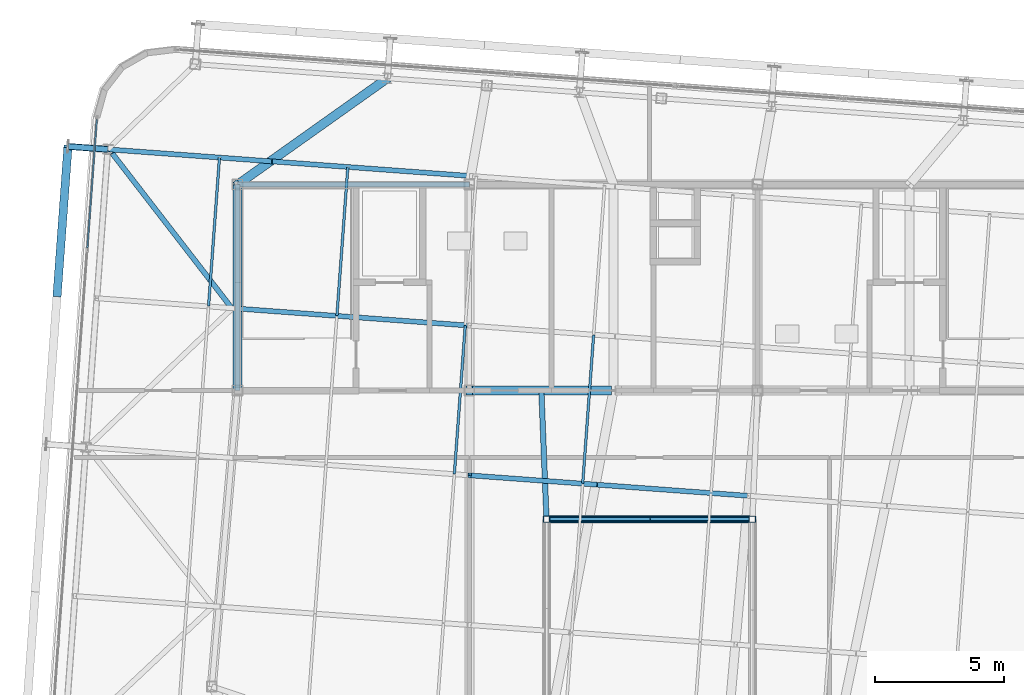
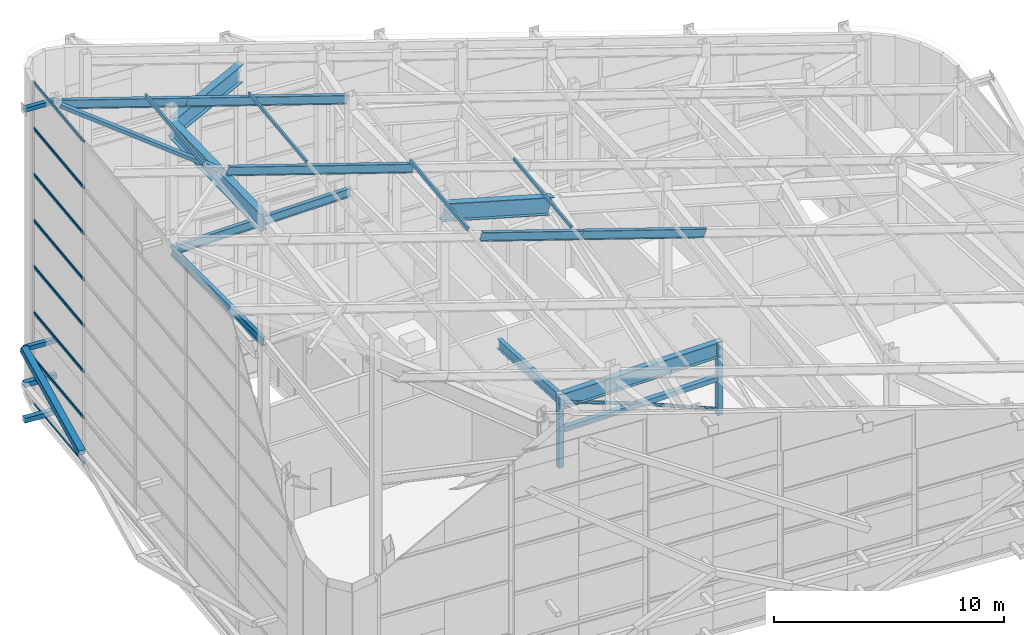
# One storey, part 18 of 56: 36 members, 7 beams, 7 elements without a shape of their own.
"""IFC4 building model written with IfcOpenShell, lengths in metres."""

from ifc_helpers import new_model, si_unit, direction, frame, origin, origin_2d, place, context, subcontext, project, spatial, hollow_rectangle, hollow_circle, i_section, extrude, source, transform, mapped, material, layer, layer_set, material_profile, profile_set, type_object, element, aggregate, save


model = new_model("IFC4")

# Units and contexts
model_context = context("Model", 3, precision=1e-05, world=origin(), true_north=direction((0.0, 1.0)))
body_context = subcontext(model_context, "Body", "Model", "MODEL_VIEW")
ifc_project = project(units=[si_unit("LENGTHUNIT", "METRE"), si_unit("AREAUNIT", "SQUARE_METRE"), si_unit("VOLUMEUNIT", "CUBIC_METRE"), si_unit("PLANEANGLEUNIT", "RADIAN"), si_unit("MASSUNIT", "GRAM", prefix="KILO")], contexts=[model_context])

# Site, building, storey
site_placement = place(None, origin())
site = spatial("IfcSite", under=ifc_project, at=site_placement, CompositionType="ELEMENT")
building_placement = place(site_placement, origin())
building = spatial("IfcBuilding", under=site, at=building_placement, Name="Taldren Reach Tower", CompositionType="ELEMENT")
storey_placement = place(building_placement, frame((0.0, 0.0, 253.050048828125)))
storey = spatial("IfcBuildingStorey", under=building, at=storey_placement, Name="L77", CompositionType="ELEMENT", Elevation=253.050048828125)

# Beams
ifc_material_1 = material(Name="Steel Gr 350 (350PLUS)", Category="steel")
ifc_material_profile_1 = material_profile(ifc_material_1, i_section(OverallWidth=0.19091796875, OverallDepth=0.4599609375, WebThickness=0.010009765625, FlangeThickness=0.01611328125, at=origin_2d()), Name="460UB82.1")
ifc_profile_set_1 = profile_set([ifc_material_profile_1], Name="Steel Gr 350 (350PLUS)")
beam_type_1 = type_object("IfcBeamType", Name="BM-UB460A", PredefinedType="BEAM", material=ifc_profile_set_1)
shared_shape_1 = source(origin(), body_context, "Body", "SweptSolid", [
    extrude(i_section(OverallWidth=0.19091796875, OverallDepth=0.4599609375, WebThickness=0.010009765625, FlangeThickness=0.01611328125, at=origin_2d()), origin(), (0.0, 0.0, 1.0), 9.0),
])
beam_1_placement = place(storey_placement, frame((19.0, 32.0, 7.800048828125), z_axis=(1.0, 0.0, 0.0), x_axis=(0.0, 1.0, 0.0)))
element("IfcBeam", 1, at=beam_1_placement, inside=storey, type_object=beam_type_1, Name="Crown interior mega-column lateral tie MC-C5-MC-C6", PredefinedType="BEAM", context=body_context, shape_type="MappedRepresentation", body=[
    mapped(shared_shape_1, transform((0.0, 0.0, 0.0), scale=1.0)),
])
shared_shape_2 = source(origin(), body_context, "Body", "SweptSolid", [
    extrude(i_section(OverallWidth=0.19091796875, OverallDepth=0.4599609375, WebThickness=0.010009765625, FlangeThickness=0.01611328125, at=origin_2d()), origin(), (0.0, 0.0, 1.0), 8.0),
])
beam_2_placement = place(storey_placement, frame((19.0, 24.0, 7.800048828125), z_axis=(0.0, 1.0, 0.0), x_axis=(-1.0, 0.0, 0.0)))
element("IfcBeam", 2, at=beam_2_placement, inside=storey, type_object=beam_type_1, Name="Crown interior mega-column lateral tie MC-C1-MC-C5", PredefinedType="BEAM", context=body_context, shape_type="MappedRepresentation", body=[
    mapped(shared_shape_2, transform((0.0, 0.0, 0.0), scale=1.0)),
])

# Members
ifc_material_2 = material(Name="Steel Gr 350 (C350L0)", Category="steel")
ifc_material_profile_2 = material_profile(ifc_material_2, hollow_rectangle(XDim=0.25, YDim=0.25, WallThickness=0.010009765625, at=origin_2d()), Name="250x250x10.0SHS")
ifc_profile_set_2 = profile_set([ifc_material_profile_2], Name="Steel Gr 350 (C350L0)")
member_type_1 = type_object("IfcMemberType", Name="MB-POST250", PredefinedType="POST", material=ifc_profile_set_2)
shared_shape_3 = source(origin(), body_context, "Body", "SweptSolid", [
    extrude(hollow_rectangle(XDim=0.25, YDim=0.25, WallThickness=0.010009765625, at=origin_2d()), origin(), (0.0, 0.0, 1.0), 1.550048828125),
])
for number, where, z_axis, x_axis, name in (
    (3, (13.958251953125, 33.369140625, 0.219970703125), (-0.997314396849, 0.07323929162, 0.0), (-0.07323929162, -0.997314396849, 0.0), "Exoskeleton base diaphragm tie strut B5-W3 L77"),
    (4, (13.958251953125, 33.369140625, 2.10986328125), (-0.997314396849, 0.07323929162, 0.0), (-0.07323929162, -0.997314396849, 0.0), "Exoskeleton mid-tier diaphragm tie B5-W3 L77"),
):
    element("IfcMember", number, at=place(storey_placement, frame(where, z_axis=z_axis, x_axis=x_axis)), inside=storey, type_object=member_type_1, Name=name, PredefinedType="POST", context=body_context, shape_type="MappedRepresentation", body=[
        mapped(shared_shape_3, transform((0.0, 0.0, 0.0), scale=1.0)),
    ])
ifc_material_3 = material(Name="Steel Gr 450 (C450L0)", Category="steel")
ifc_material_profile_3 = material_profile(ifc_material_3, hollow_rectangle(XDim=0.219970703125, YDim=0.219970703125, WallThickness=0.00830078125, at=origin_2d()), Name="220x220x8.2SHS")
ifc_profile_set_3 = profile_set([ifc_material_profile_3], Name="Steel Gr 450 (C450L0)")
member_type_2 = type_object("IfcMemberType", Name="MB-TIE219", PredefinedType="STRUT", material=ifc_profile_set_3)
shared_shape_4 = source(origin(), body_context, "Body", "SweptSolid", [
    extrude(hollow_rectangle(XDim=0.219970703125, YDim=0.219970703125, WallThickness=0.00830078125, at=origin_2d()), origin(), (0.0, 0.0, 1.0), 1.550048828125),
])
for number, where, z_axis, x_axis, name in (
    (5, (13.958251953125, 33.369140625, 16.713623046875), (-0.997314396849, 0.07323929162, 0.0), (-0.07323929162, -0.997314396849, 0.0), "Exoskeleton diaphragm tie strut B5-W3 L77"),
    (6, (13.958251953125, 33.369140625, 4.0), (-0.997314396849, 0.07323929162, 0.0), (-0.07323929162, -0.997314396849, 0.0), "Crown exoskeleton mid-tier tie strut B5-W3"),
):
    element("IfcMember", number, at=place(storey_placement, frame(where, z_axis=z_axis, x_axis=x_axis)), inside=storey, type_object=member_type_2, Name=name, PredefinedType="STRUT", context=body_context, shape_type="MappedRepresentation", body=[
        mapped(shared_shape_4, transform((0.0, 0.0, 0.0), scale=1.0)),
    ])

# Beams
ifc_material_profile_4 = material_profile(ifc_material_1, i_section(OverallWidth=0.35009765625, OverallDepth=0.916015625, WebThickness=0.013916015625, FlangeThickness=0.028076171875, at=origin_2d()), Name="900WB257")
ifc_profile_set_4 = profile_set([ifc_material_profile_4], Name="Steel Gr 350 (350PLUS)")
beam_type_2 = type_object("IfcBeamType", Name="BM-WB900", PredefinedType="BEAM", material=ifc_profile_set_4)
shared_shape_5 = source(origin(), body_context, "Body", "SweptSolid", [
    extrude(i_section(OverallWidth=0.35009765625, OverallDepth=0.916015625, WebThickness=0.013916015625, FlangeThickness=0.028076171875, at=origin_2d()), origin(), (0.0, 0.0, 1.0), 8.001708984375),
])
beam_3_placement = place(storey_placement, frame((19.0, 24.0, 14.174072265625), z_axis=(0.0, 0.999779654873, 0.020991467363), x_axis=(-1.0, 0.0, 0.0)))
element("IfcBeam", 7, at=beam_3_placement, inside=storey, type_object=beam_type_2, Name="Crown transverse portal girder PF1-3", PredefinedType="BEAM", context=body_context, shape_type="MappedRepresentation", body=[
    mapped(shared_shape_5, transform((0.0, 0.0, 0.0), scale=1.0)),
])
shared_shape_6 = source(origin(), body_context, "Body", "SweptSolid", [
    extrude(i_section(OverallWidth=0.35009765625, OverallDepth=0.916015625, WebThickness=0.013916015625, FlangeThickness=0.028076171875, at=origin_2d()), origin(), (0.0, 0.0, 1.0), 7.30908203125),
])
beam_4_placement = place(storey_placement, frame((19.0, 32.0, 14.342041015625), z_axis=(0.796225245965, 0.565210697108, -0.21578282036), x_axis=(-0.578847544715, 0.815435785318, 0.0)))
element("IfcBeam", 8, at=beam_4_placement, inside=storey, type_object=beam_type_2, Name="Crown transverse portal girder PF1-4", PredefinedType="BEAM", context=body_context, shape_type="MappedRepresentation", body=[
    mapped(shared_shape_6, transform((0.0, 0.0, 0.0), scale=1.0)),
])
shared_shape_7 = source(origin(), body_context, "Body", "SweptSolid", [
    extrude(i_section(OverallWidth=0.35009765625, OverallDepth=0.916015625, WebThickness=0.013916015625, FlangeThickness=0.028076171875, at=origin_2d()), origin(), (0.0, 0.0, 1.0), 5.62158203125),
])
beam_5_placement = place(storey_placement, frame((28.0, 24.0, 11.600830078125), z_axis=(0.961482965838, 0.0, -0.274864523727), x_axis=(0.0, 1.0, 0.0)))
element("IfcBeam", 9, at=beam_5_placement, inside=storey, type_object=beam_type_2, Name="Crown collar portal girder C23-W", PredefinedType="BEAM", context=body_context, shape_type="MappedRepresentation", body=[
    mapped(shared_shape_7, transform((0.0, 0.0, 0.0), scale=1.0)),
])

# Members
ifc_material_profile_5 = material_profile(ifc_material_1, i_section(OverallWidth=0.19091796875, OverallDepth=0.4599609375, WebThickness=0.010009765625, FlangeThickness=0.01611328125, at=origin_2d()), Name="460UB82.1")
ifc_profile_set_5 = profile_set([ifc_material_profile_5], Name="Steel Gr 350 (350PLUS)")
member_type_3 = type_object("IfcMemberType", Name="MB-RAF460", PredefinedType="RAFTER", material=ifc_profile_set_5)
shared_shape_8 = source(origin(), body_context, "Body", "SweptSolid", [
    extrude(i_section(OverallWidth=0.19091796875, OverallDepth=0.4599609375, WebThickness=0.010009765625, FlangeThickness=0.01611328125, at=origin_2d()), origin(), (0.0, 0.0, 1.0), 6.16015625),
])
member_1_placement = place(storey_placement, frame((38.826904296875, 19.91162109375, 9.146728515625), z_axis=(-0.958692265587, 0.070386005113, 0.275599256507), x_axis=(-0.073221689305, -0.997315689346, 0.0)))
element("IfcMember", 10, at=member_1_placement, inside=storey, type_object=member_type_3, Name="Crown sloped rafter RF-3.4", PredefinedType="RAFTER", context=body_context, shape_type="MappedRepresentation", body=[
    mapped(shared_shape_8, transform((0.0, 0.0, 0.0), scale=1.0)),
])
shared_shape_9 = source(origin(), body_context, "Body", "SweptSolid", [
    extrude(i_section(OverallWidth=0.19091796875, OverallDepth=0.4599609375, WebThickness=0.010009765625, FlangeThickness=0.01611328125, at=origin_2d()), origin(), (0.0, 0.0, 1.0), 5.086181640625),
])
member_2_placement = place(storey_placement, frame((32.89111328125, 20.347412109375, 10.85302734375), z_axis=(-0.958699448443, 0.070415665692, 0.275566691709), x_axis=(-0.073251833421, -0.997313475744, 0.0)))
element("IfcMember", 11, at=member_2_placement, inside=storey, type_object=member_type_3, Name="Crown sloped rafter RF-3.5", PredefinedType="RAFTER", context=body_context, shape_type="MappedRepresentation", body=[
    mapped(shared_shape_9, transform((0.0, 0.0, 0.0), scale=1.0)),
])
shared_shape_10 = source(origin(), body_context, "Body", "SweptSolid", [
    extrude(i_section(OverallWidth=0.19091796875, OverallDepth=0.4599609375, WebThickness=0.010009765625, FlangeThickness=0.01611328125, at=origin_2d()), origin(), (0.0, 0.0, 1.0), 9.356689453125),
])
member_3_placement = place(storey_placement, frame((27.985107421875, 26.5234375, 12.38525390625), z_axis=(-0.958700960976, 0.070398323246, 0.275565860565), x_axis=(-0.073233774313, -0.997314802006, 0.0)))
element("IfcMember", 12, at=member_3_placement, inside=storey, type_object=member_type_3, Name="Crown sloped rafter RF-4.6", PredefinedType="RAFTER", context=body_context, shape_type="MappedRepresentation", body=[
    mapped(shared_shape_10, transform((0.0, 0.0, 0.0), scale=1.0)),
])
shared_shape_11 = source(origin(), body_context, "Body", "SweptSolid", [
    extrude(i_section(OverallWidth=0.19091796875, OverallDepth=0.4599609375, WebThickness=0.010009765625, FlangeThickness=0.01611328125, at=origin_2d()), origin(), (0.0, 0.0, 1.0), 8.087646484375),
])
member_4_placement = place(storey_placement, frame((28.0439453125, 32.334716796875, 12.490478515625), z_axis=(-0.958698781595, 0.070395338603, 0.275574205018), x_axis=(-0.073230851687, -0.997315016613, 0.0)))
element("IfcMember", 13, at=member_4_placement, inside=storey, type_object=member_type_3, Name="Crown sloped rafter RF-5.6", PredefinedType="RAFTER", context=body_context, shape_type="MappedRepresentation", body=[
    mapped(shared_shape_11, transform((0.0, 0.0, 0.0), scale=1.0)),
])
shared_shape_12 = source(origin(), body_context, "Body", "SweptSolid", [
    extrude(i_section(OverallWidth=0.19091796875, OverallDepth=0.4599609375, WebThickness=0.010009765625, FlangeThickness=0.01611328125, at=origin_2d()), origin(), (0.0, 0.0, 1.0), 6.573486328125),
])
member_5_placement = place(storey_placement, frame((20.26025390625, 32.90625, 14.727783203125), z_axis=(-0.958695755323, 0.070417508701, 0.275579068861), x_axis=(-0.07325402105, -0.997313315062, 0.0)))
element("IfcMember", 14, at=member_5_placement, inside=storey, type_object=member_type_3, Name="Crown sloped rafter RF-5.7", PredefinedType="RAFTER", context=body_context, shape_type="MappedRepresentation", body=[
    mapped(shared_shape_12, transform((0.0, 0.0, 0.0), scale=1.0)),
])
ifc_material_profile_6 = material_profile(ifc_material_2, hollow_rectangle(XDim=0.10009765625, YDim=0.199951171875, WallThickness=0.006103515625, at=origin_2d()), Name="200x100x6.0RHS")
ifc_profile_set_6 = profile_set([ifc_material_profile_6], Name="Steel Gr 350 (C350L0)")
member_type_4 = type_object("IfcMemberType", Name="MB-PUR200", PredefinedType="PURLIN", material=ifc_profile_set_6)
shared_shape_13 = source(origin(), body_context, "Body", "SweptSolid", [
    extrude(hollow_rectangle(XDim=0.10009765625, YDim=0.199951171875, WallThickness=0.006103515625, at=origin_2d()), origin(), (0.0, 0.0, 1.0), 5.78515625),
])
member_6_placement = place(storey_placement, frame((17.872802734375, 27.281005859375, 15.642578125), z_axis=(0.073262307813, 0.997312706353, 0.0), x_axis=(-0.997312706353, 0.073262307813, 0.0)))
element("IfcMember", 15, at=member_6_placement, inside=storey, type_object=member_type_4, Name="Crown roof purlin PR-1.4", PredefinedType="PURLIN", context=body_context, shape_type="MappedRepresentation", body=[
    mapped(shared_shape_13, transform((0.0, 0.0, 0.0), scale=1.0)),
])
shared_shape_14 = source(origin(), body_context, "Body", "SweptSolid", [
    extrude(hollow_rectangle(XDim=0.10009765625, YDim=0.199951171875, WallThickness=0.006103515625, at=origin_2d()), origin(), (0.0, 0.0, 1.0), 5.77001953125),
])
member_7_placement = place(storey_placement, frame((27.421142578125, 20.76416015625, 12.77587890625), z_axis=(0.073240468007, 0.997314310459, 0.0), x_axis=(-0.997314310459, 0.073240468007, 0.0)))
element("IfcMember", 16, at=member_7_placement, inside=storey, type_object=member_type_4, Name="Crown roof purlin PR-3.3", PredefinedType="PURLIN", context=body_context, shape_type="MappedRepresentation", body=[
    mapped(shared_shape_14, transform((0.0, 0.0, 0.0), scale=1.0)),
])
ifc_material_profile_7 = material_profile(ifc_material_2, hollow_rectangle(XDim=0.10009765625, YDim=0.14990234375, WallThickness=0.0048828125, at=origin_2d()), Name="150x100x5.0RHS")
ifc_profile_set_7 = profile_set([ifc_material_profile_7], Name="Steel Gr 350 (C350L0)")
member_type_5 = type_object("IfcMemberType", Name="MB-PUR150", PredefinedType="PURLIN", material=ifc_profile_set_7)
shared_shape_15 = source(origin(), body_context, "Body", "SweptSolid", [
    extrude(hollow_rectangle(XDim=0.10009765625, YDim=0.14990234375, WallThickness=0.0048828125, at=origin_2d()), origin(), (0.0, 0.0, 1.0), 5.78515625),
])
member_8_placement = place(storey_placement, frame((22.859375, 26.914794921875, 14.235107421875), z_axis=(0.073262307813, 0.997312706353, 0.0), x_axis=(-0.997312706353, 0.073262307813, 0.0)))
element("IfcMember", 17, at=member_8_placement, inside=storey, type_object=member_type_5, Name="Crown roof purlin PR-2.4", PredefinedType="PURLIN", context=body_context, shape_type="MappedRepresentation", body=[
    mapped(shared_shape_15, transform((0.0, 0.0, 0.0), scale=1.0)),
])
shared_shape_16 = source(origin(), body_context, "Body", "SweptSolid", [
    extrude(hollow_rectangle(XDim=0.10009765625, YDim=0.14990234375, WallThickness=0.0048828125, at=origin_2d()), origin(), (0.0, 0.0, 1.0), 5.77001953125),
])
member_9_placement = place(storey_placement, frame((32.40771484375, 20.39794921875, 11.368408203125), z_axis=(0.073240468007, 0.997314310459, 0.0), x_axis=(-0.997314310459, 0.073240468007, 0.0)))
element("IfcMember", 18, at=member_9_placement, inside=storey, type_object=member_type_5, Name="Crown roof purlin PR-4.3", PredefinedType="PURLIN", context=body_context, shape_type="MappedRepresentation", body=[
    mapped(shared_shape_16, transform((0.0, 0.0, 0.0), scale=1.0)),
])
ifc_material_profile_8 = material_profile(ifc_material_2, hollow_rectangle(XDim=0.199951171875, YDim=0.199951171875, WallThickness=0.009033203125, at=origin_2d()), Name="200x200x9.0SHS")
ifc_profile_set_8 = profile_set([ifc_material_profile_8], Name="Steel Gr 350 (C350L0)")
member_type_6 = type_object("IfcMemberType", Name="BR-ROOF-200", PredefinedType="BRACE", material=ifc_profile_set_8)
shared_shape_17 = source(origin(), body_context, "Body", "SweptSolid", [
    extrude(hollow_rectangle(XDim=0.199951171875, YDim=0.199951171875, WallThickness=0.009033203125, at=origin_2d()), origin(), (0.0, 0.0, 1.0), 7.733642578125),
])
member_10_placement = place(storey_placement, frame((14.12744140625, 33.21630859375, 16.48779296875), z_axis=(0.600405592202, -0.777285161743, -0.187991760953), x_axis=(0.791395260243, 0.611304786555, 0.0)))
element("IfcMember", 19, at=member_10_placement, inside=storey, type_object=member_type_6, Name="Crown sloped roof wind brace RB-8", PredefinedType="BRACE", context=body_context, shape_type="MappedRepresentation", body=[
    mapped(shared_shape_17, transform((0.0, 0.0, 0.0), scale=1.0)),
])
shared_shape_18 = source(origin(), body_context, "Body", "SweptSolid", [
    extrude(hollow_rectangle(XDim=0.25, YDim=0.25, WallThickness=0.010009765625, at=origin_2d()), origin(), (0.0, 0.0, 1.0), 1.949951171875),
])
for number, where, z_axis, x_axis, name in (
    (20, (39.0, 19.0, 0.0), (0.0, 0.0, 1.0), (1.0, 0.0, 0.0), "Tuned mass damper gantry post TMD-P3"),
    (21, (39.0, 19.0, 1.949951171875), (0.0, 0.0, 1.0), (1.0, 0.0, 0.0), "Tuned mass damper gantry upper post TMD-PU3"),
    (22, (31.0, 19.0, 0.0), (0.0, 0.0, 1.0), (1.0, 0.0, 0.0), "Tuned mass damper gantry post TMD-P4"),
    (23, (31.0, 19.0, 1.949951171875), (0.0, 0.0, 1.0), (1.0, 0.0, 0.0), "Tuned mass damper gantry upper post TMD-PU4"),
):
    element("IfcMember", number, at=place(storey_placement, frame(where, z_axis=z_axis, x_axis=x_axis)), inside=storey, type_object=member_type_1, Name=name, PredefinedType="POST", context=body_context, shape_type="MappedRepresentation", body=[
        mapped(shared_shape_18, transform((0.0, 0.0, 0.0), scale=1.0)),
    ])

# Beam
ifc_material_profile_9 = material_profile(ifc_material_1, i_section(OverallWidth=0.300048828125, OverallDepth=0.81591796875, WebThickness=0.011962890625, FlangeThickness=0.02392578125, at=origin_2d()), Name="800WB192")
ifc_profile_set_9 = profile_set([ifc_material_profile_9], Name="Steel Gr 350 (350PLUS)")
beam_type_3 = type_object("IfcBeamType", Name="BM-WB800", PredefinedType="BEAM", material=ifc_profile_set_9)
shared_shape_19 = source(origin(), body_context, "Body", "SweptSolid", [
    extrude(i_section(OverallWidth=0.300048828125, OverallDepth=0.81591796875, WebThickness=0.011962890625, FlangeThickness=0.02392578125, at=origin_2d()), origin(), (0.0, 0.0, 1.0), 8.0),
])
beam_6_placement = place(storey_placement, frame((39.0, 19.0, 3.491943359375), z_axis=(-1.0, 0.0, 0.0), x_axis=(0.0, -1.0, 0.0)))
element("IfcBeam", 24, at=beam_6_placement, inside=storey, type_object=beam_type_3, Name="Tuned mass damper ring girder TMD-G3", PredefinedType="BEAM", context=body_context, shape_type="MappedRepresentation", body=[
    mapped(shared_shape_19, transform((0.0, 0.0, 0.0), scale=1.0)),
])

# Members
shared_shape_20 = source(origin(), body_context, "Body", "SweptSolid", [
    extrude(hollow_rectangle(XDim=0.25, YDim=0.25, WallThickness=0.010009765625, at=origin_2d()), origin(), (0.0, 0.0, 1.0), 8.0),
])
member_11_placement = place(storey_placement, frame((39.0, 19.0, 1.949951171875), z_axis=(-1.0, 0.0, 0.0), x_axis=(0.0, -1.0, 0.0)))
element("IfcMember", 25, at=member_11_placement, inside=storey, type_object=member_type_1, Name="Tuned mass damper mid girt TMD-M3", PredefinedType="POST", context=body_context, shape_type="MappedRepresentation", body=[
    mapped(shared_shape_20, transform((0.0, 0.0, 0.0), scale=1.0)),
])
ifc_material_profile_10 = material_profile(ifc_material_2, hollow_circle(Radius=0.084228515625, WallThickness=0.00634765625, at=origin_2d()), Name="168x6.4CHS")
ifc_profile_set_10 = profile_set([ifc_material_profile_10], Name="Steel Gr 350 (C350L0)")
member_type_7 = type_object("IfcMemberType", Name="MB-STR168", PredefinedType="STRUT", material=ifc_profile_set_10)
shared_shape_21 = source(origin(), body_context, "Body", "SweptSolid", [
    extrude(hollow_circle(Radius=0.084228515625, WallThickness=0.00634765625, at=origin_2d()), origin(), (0.0, 0.0, 1.0), 4.34619140625),
])
member_12_placement = place(storey_placement, frame((39.0, 19.0, 0.25), z_axis=(-0.920334962612, 0.0, 0.391131124553), x_axis=(0.0, -1.0, 0.0)))
element("IfcMember", 26, at=member_12_placement, inside=storey, type_object=member_type_7, Name="Tuned mass damper sway brace TMD-B3", PredefinedType="STRUT", context=body_context, shape_type="MappedRepresentation", body=[
    mapped(shared_shape_21, transform((0.0, 0.0, 0.0), scale=1.0)),
])
shared_shape_22 = source(origin(), body_context, "Body", "SweptSolid", [
    extrude(hollow_circle(Radius=0.084228515625, WallThickness=0.00634765625, at=origin_2d()), origin(), (0.0, 0.0, 1.0), 4.27197265625),
])
member_13_placement = place(storey_placement, frame((35.0, 19.0, 1.949951171875), z_axis=(-0.936329177569, 0.0, 0.351123441588), x_axis=(0.0, -1.0, 0.0)))
element("IfcMember", 27, at=member_13_placement, inside=storey, type_object=member_type_7, Name="Tuned mass damper upper sway brace TMD-BU3", PredefinedType="STRUT", context=body_context, shape_type="MappedRepresentation", body=[
    mapped(shared_shape_22, transform((0.0, 0.0, 0.0), scale=1.0)),
])

# Beam
ifc_material_profile_11 = material_profile(ifc_material_1, i_section(OverallWidth=0.208984375, OverallDepth=0.532958984375, WebThickness=0.01025390625, FlangeThickness=0.015625, at=origin_2d()), Name="530UB92.4")
ifc_profile_set_11 = profile_set([ifc_material_profile_11], Name="Steel Gr 350 (350PLUS)")
beam_type_4 = type_object("IfcBeamType", Name="BM-UB530A", PredefinedType="BEAM", material=ifc_profile_set_11)
shared_shape_23 = source(origin(), body_context, "Body", "SweptSolid", [
    extrude(i_section(OverallWidth=0.208984375, OverallDepth=0.532958984375, WebThickness=0.01025390625, FlangeThickness=0.015625, at=origin_2d()), origin(), (0.0, 0.0, 1.0), 5.00390625),
])
beam_7_placement = place(storey_placement, frame((30.800048828125, 24.0, 3.633544921875), z_axis=(0.039958296109, -0.999201348364, 0.0), x_axis=(0.999201348364, 0.039958296109, 0.0)))
element("IfcBeam", 28, at=beam_7_placement, inside=storey, type_object=beam_type_4, Name="Tuned mass damper tie beam NW", PredefinedType="BEAM", context=body_context, shape_type="MappedRepresentation", body=[
    mapped(shared_shape_23, transform((0.0, 0.0, 0.0), scale=1.0)),
])

# Member
ifc_material_profile_12 = material_profile(ifc_material_3, hollow_rectangle(XDim=0.324951171875, YDim=0.324951171875, WallThickness=0.0126953125, at=origin_2d()), Name="325x325x12.7SHS")
ifc_profile_set_12 = profile_set([ifc_material_profile_12], Name="Steel Gr 450 (C450L0)")
member_type_8 = type_object("IfcMemberType", Name="MB-BR324", PredefinedType="BRACE", material=ifc_profile_set_12)
shared_shape_24 = source(origin(), body_context, "Body", "SweptSolid", [
    extrude(hollow_rectangle(XDim=0.324951171875, YDim=0.324951171875, WallThickness=0.0126953125, at=origin_2d()), origin(), (0.0, 0.0, 1.0), 6.10009765625),
])
member_14_placement = place(storey_placement, frame((11.987548828125, 27.6982421875, 2.10986328125), z_axis=(0.069637647208, 0.948232629478, 0.309847508438), x_axis=(-0.997314185625, 0.073242167855, 0.0)))
element("IfcMember", 29, at=member_14_placement, inside=storey, type_object=member_type_8, Name="Exoskeleton Diagrid Brace B5-W2 L77", PredefinedType="BRACE", context=body_context, shape_type="MappedRepresentation", body=[
    mapped(shared_shape_24, transform((0.0, 0.0, 0.0), scale=1.0)),
])

# Curtain wall, members
ifc_material_4 = material(Name="Aluminium and Low-E Glass Unitised System", Category="aluminium")
ifc_layer = layer(ifc_material_4, 0.159912109375)
ifc_layer_set = layer_set([ifc_layer], Name="Aluminium and Low-E Glass Unitised System")
curtain_wall_type = type_object("IfcCurtainWallType", Name="CW-SYS-8", PredefinedType="NOTDEFINED", material=ifc_layer_set)
curtain_wall_1_placement = place(storey_placement, origin())
curtain_wall_1 = element("IfcCurtainWall", 30, at=curtain_wall_1_placement, inside=storey, type_object=curtain_wall_type, Name="Unitised curtain wall CW8-L77-W", PredefinedType="NOTDEFINED")
ifc_material_5 = material(Name="Anodised Aluminium 6063-T6", Category="aluminium")
ifc_material_profile_13 = material_profile(ifc_material_5, hollow_rectangle(XDim=0.06005859375, YDim=0.135009765625, WallThickness=0.00341796875, at=origin_2d()), Name="ALU-135x60x3.5RHS")
ifc_profile_set_13 = profile_set([ifc_material_profile_13], Name="Anodised Aluminium 6063-T6")
member_type_9 = type_object("IfcMemberType", Name="CW-TRN-150", PredefinedType="USERDEFINED", material=ifc_profile_set_13)
shared_shape_25 = source(origin(), body_context, "Body", "SweptSolid", [
    extrude(hollow_rectangle(XDim=0.06005859375, YDim=0.135009765625, WallThickness=0.00341796875, at=origin_2d()), origin(), (0.0, 0.0, 1.0), 5.00732421875),
])
member_15_placement = place(storey_placement, frame((13.531982421875, 34.5283203125, 0.030029296875), z_axis=(-0.073232314525, -0.997314909198, 0.0), x_axis=(0.997314909198, -0.073232314525, 0.0)))
member_15 = element("IfcMember", 31, at=member_15_placement, type_object=member_type_9, Name="CW-8 transom 1.1", ObjectType="TRANSOM", PredefinedType="USERDEFINED", context=body_context, shape_type="MappedRepresentation", body=[
    mapped(shared_shape_25, transform((0.0, 0.0, 0.0), scale=1.0)),
])
member_16_placement = place(storey_placement, frame((13.531982421875, 34.5283203125, 2.416259765625), z_axis=(-0.073232314525, -0.997314909198, 0.0), x_axis=(0.997314909198, -0.073232314525, 0.0)))
member_16 = element("IfcMember", 32, at=member_16_placement, type_object=member_type_9, Name="CW-8 transom 1.2", ObjectType="TRANSOM", PredefinedType="USERDEFINED", context=body_context, shape_type="MappedRepresentation", body=[
    mapped(shared_shape_25, transform((0.0, 0.0, 0.0), scale=1.0)),
])
aggregate(curtain_wall_1, [member_15, member_16])

curtain_wall_2_placement = place(storey_placement, origin())
curtain_wall_2 = element("IfcCurtainWall", 33, at=curtain_wall_2_placement, inside=storey, type_object=curtain_wall_type, Name="Unitised curtain wall CW8-L77-W-T2", PredefinedType="NOTDEFINED")
member_17_placement = place(storey_placement, frame((13.531982421875, 34.5283203125, 2.476318359375), z_axis=(-0.073232314525, -0.997314909198, 0.0), x_axis=(0.997314909198, -0.073232314525, 0.0)))
member_17 = element("IfcMember", 34, at=member_17_placement, type_object=member_type_9, Name="CW-8 transom 1.1", ObjectType="TRANSOM", PredefinedType="USERDEFINED", context=body_context, shape_type="MappedRepresentation", body=[
    mapped(shared_shape_25, transform((0.0, 0.0, 0.0), scale=1.0)),
])
member_18_placement = place(storey_placement, frame((13.531982421875, 34.5283203125, 4.86279296875), z_axis=(-0.073232314525, -0.997314909198, 0.0), x_axis=(0.997314909198, -0.073232314525, 0.0)))
member_18 = element("IfcMember", 35, at=member_18_placement, type_object=member_type_9, Name="CW-8 transom 1.2", ObjectType="TRANSOM", PredefinedType="USERDEFINED", context=body_context, shape_type="MappedRepresentation", body=[
    mapped(shared_shape_25, transform((0.0, 0.0, 0.0), scale=1.0)),
])
aggregate(curtain_wall_2, [member_17, member_18])

curtain_wall_3_placement = place(storey_placement, origin())
curtain_wall_3 = element("IfcCurtainWall", 36, at=curtain_wall_3_placement, inside=storey, type_object=curtain_wall_type, Name="Unitised curtain wall CW8-L77-W-T3", PredefinedType="NOTDEFINED")
member_19_placement = place(storey_placement, frame((13.531982421875, 34.5283203125, 4.9228515625), z_axis=(-0.073232314525, -0.997314909198, 0.0), x_axis=(0.997314909198, -0.073232314525, 0.0)))
member_19 = element("IfcMember", 37, at=member_19_placement, type_object=member_type_9, Name="CW-8 transom 1.1", ObjectType="TRANSOM", PredefinedType="USERDEFINED", context=body_context, shape_type="MappedRepresentation", body=[
    mapped(shared_shape_25, transform((0.0, 0.0, 0.0), scale=1.0)),
])
member_20_placement = place(storey_placement, frame((13.531982421875, 34.5283203125, 7.30908203125), z_axis=(-0.073232314525, -0.997314909198, 0.0), x_axis=(0.997314909198, -0.073232314525, 0.0)))
member_20 = element("IfcMember", 38, at=member_20_placement, type_object=member_type_9, Name="CW-8 transom 1.2", ObjectType="TRANSOM", PredefinedType="USERDEFINED", context=body_context, shape_type="MappedRepresentation", body=[
    mapped(shared_shape_25, transform((0.0, 0.0, 0.0), scale=1.0)),
])
aggregate(curtain_wall_3, [member_19, member_20])

curtain_wall_4_placement = place(storey_placement, origin())
curtain_wall_4 = element("IfcCurtainWall", 39, at=curtain_wall_4_placement, inside=storey, type_object=curtain_wall_type, Name="Unitised curtain wall CW8-L77-W-T4", PredefinedType="NOTDEFINED")
member_21_placement = place(storey_placement, frame((13.531982421875, 34.5283203125, 7.369140625), z_axis=(-0.073232314525, -0.997314909198, 0.0), x_axis=(0.997314909198, -0.073232314525, 0.0)))
member_21 = element("IfcMember", 40, at=member_21_placement, type_object=member_type_9, Name="CW-8 transom 1.1", ObjectType="TRANSOM", PredefinedType="USERDEFINED", context=body_context, shape_type="MappedRepresentation", body=[
    mapped(shared_shape_25, transform((0.0, 0.0, 0.0), scale=1.0)),
])
member_22_placement = place(storey_placement, frame((13.531982421875, 34.5283203125, 9.755615234375), z_axis=(-0.073232314525, -0.997314909198, 0.0), x_axis=(0.997314909198, -0.073232314525, 0.0)))
member_22 = element("IfcMember", 41, at=member_22_placement, type_object=member_type_9, Name="CW-8 transom 1.2", ObjectType="TRANSOM", PredefinedType="USERDEFINED", context=body_context, shape_type="MappedRepresentation", body=[
    mapped(shared_shape_25, transform((0.0, 0.0, 0.0), scale=1.0)),
])
aggregate(curtain_wall_4, [member_21, member_22])

curtain_wall_5_placement = place(storey_placement, origin())
curtain_wall_5 = element("IfcCurtainWall", 42, at=curtain_wall_5_placement, inside=storey, type_object=curtain_wall_type, Name="Unitised curtain wall CW8-L77-W-T5", PredefinedType="NOTDEFINED")
member_23_placement = place(storey_placement, frame((13.531982421875, 34.5283203125, 9.8154296875), z_axis=(-0.073232314525, -0.997314909198, 0.0), x_axis=(0.997314909198, -0.073232314525, 0.0)))
member_23 = element("IfcMember", 43, at=member_23_placement, type_object=member_type_9, Name="CW-8 transom 1.1", ObjectType="TRANSOM", PredefinedType="USERDEFINED", context=body_context, shape_type="MappedRepresentation", body=[
    mapped(shared_shape_25, transform((0.0, 0.0, 0.0), scale=1.0)),
])
member_24_placement = place(storey_placement, frame((13.531982421875, 34.5283203125, 12.201904296875), z_axis=(-0.073232314525, -0.997314909198, 0.0), x_axis=(0.997314909198, -0.073232314525, 0.0)))
member_24 = element("IfcMember", 44, at=member_24_placement, type_object=member_type_9, Name="CW-8 transom 1.2", ObjectType="TRANSOM", PredefinedType="USERDEFINED", context=body_context, shape_type="MappedRepresentation", body=[
    mapped(shared_shape_25, transform((0.0, 0.0, 0.0), scale=1.0)),
])
aggregate(curtain_wall_5, [member_23, member_24])

curtain_wall_6_placement = place(storey_placement, origin())
curtain_wall_6 = element("IfcCurtainWall", 45, at=curtain_wall_6_placement, inside=storey, type_object=curtain_wall_type, Name="Unitised curtain wall CW8-L77-W-T6", PredefinedType="NOTDEFINED")
member_25_placement = place(storey_placement, frame((13.531982421875, 34.5283203125, 12.261962890625), z_axis=(-0.073232314525, -0.997314909198, 0.0), x_axis=(0.997314909198, -0.073232314525, 0.0)))
member_25 = element("IfcMember", 46, at=member_25_placement, type_object=member_type_9, Name="CW-8 transom 1.1", ObjectType="TRANSOM", PredefinedType="USERDEFINED", context=body_context, shape_type="MappedRepresentation", body=[
    mapped(shared_shape_25, transform((0.0, 0.0, 0.0), scale=1.0)),
])
member_26_placement = place(storey_placement, frame((13.531982421875, 34.5283203125, 14.6484375), z_axis=(-0.073232314525, -0.997314909198, 0.0), x_axis=(0.997314909198, -0.073232314525, 0.0)))
member_26 = element("IfcMember", 47, at=member_26_placement, type_object=member_type_9, Name="CW-8 transom 1.2", ObjectType="TRANSOM", PredefinedType="USERDEFINED", context=body_context, shape_type="MappedRepresentation", body=[
    mapped(shared_shape_25, transform((0.0, 0.0, 0.0), scale=1.0)),
])
aggregate(curtain_wall_6, [member_25, member_26])

curtain_wall_7_placement = place(storey_placement, origin())
curtain_wall_7 = element("IfcCurtainWall", 48, at=curtain_wall_7_placement, inside=storey, type_object=curtain_wall_type, Name="Unitised curtain wall CW8-L77-W-T7", PredefinedType="NOTDEFINED")
member_27_placement = place(storey_placement, frame((13.531982421875, 34.5283203125, 14.708251953125), z_axis=(-0.073232314525, -0.997314909198, 0.0), x_axis=(0.997314909198, -0.073232314525, 0.0)))
member_27 = element("IfcMember", 49, at=member_27_placement, type_object=member_type_9, Name="CW-8 transom 1.1", ObjectType="TRANSOM", PredefinedType="USERDEFINED", context=body_context, shape_type="MappedRepresentation", body=[
    mapped(shared_shape_25, transform((0.0, 0.0, 0.0), scale=1.0)),
])
member_28_placement = place(storey_placement, frame((13.531982421875, 34.5283203125, 17.0947265625), z_axis=(-0.073232314525, -0.997314909198, 0.0), x_axis=(0.997314909198, -0.073232314525, 0.0)))
member_28 = element("IfcMember", 50, at=member_28_placement, type_object=member_type_9, Name="CW-8 transom 1.2", ObjectType="TRANSOM", PredefinedType="USERDEFINED", context=body_context, shape_type="MappedRepresentation", body=[
    mapped(shared_shape_25, transform((0.0, 0.0, 0.0), scale=1.0)),
])
aggregate(curtain_wall_7, [member_27, member_28])

save(model, "model.ifc")
